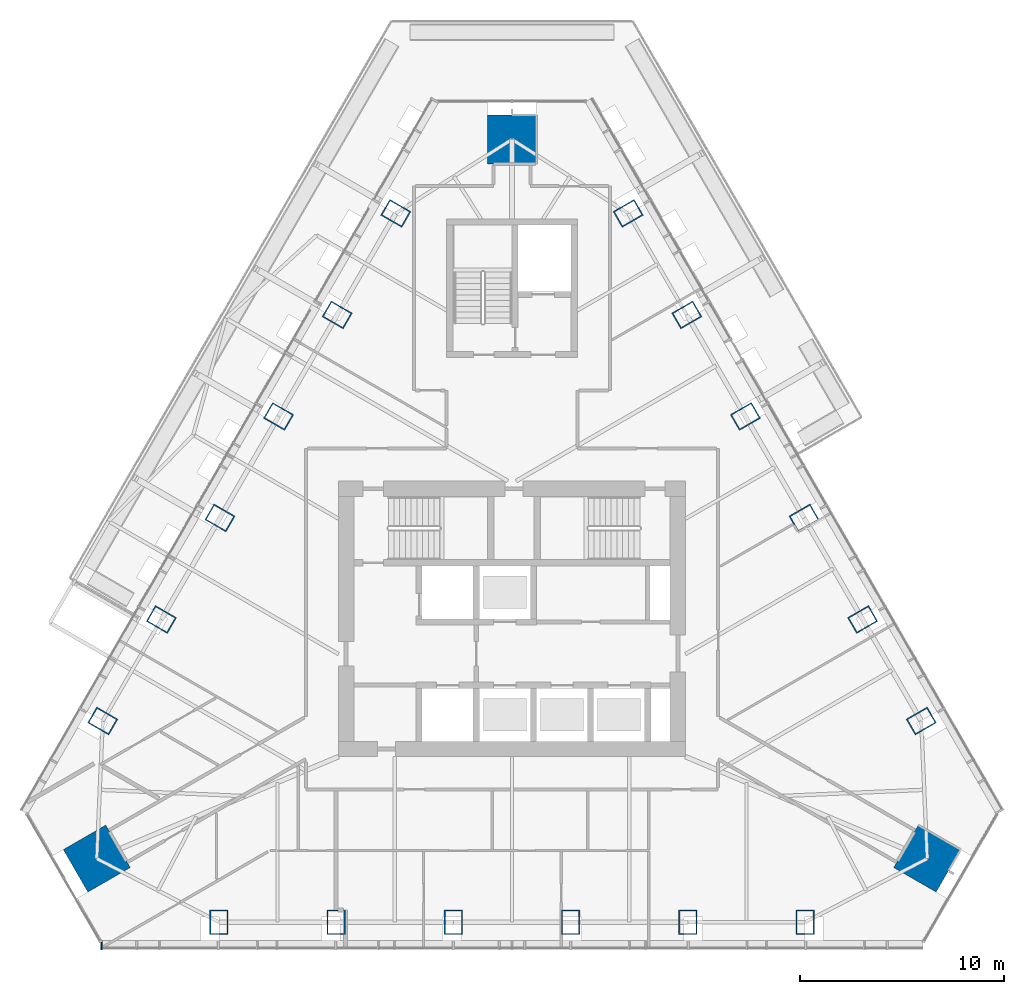
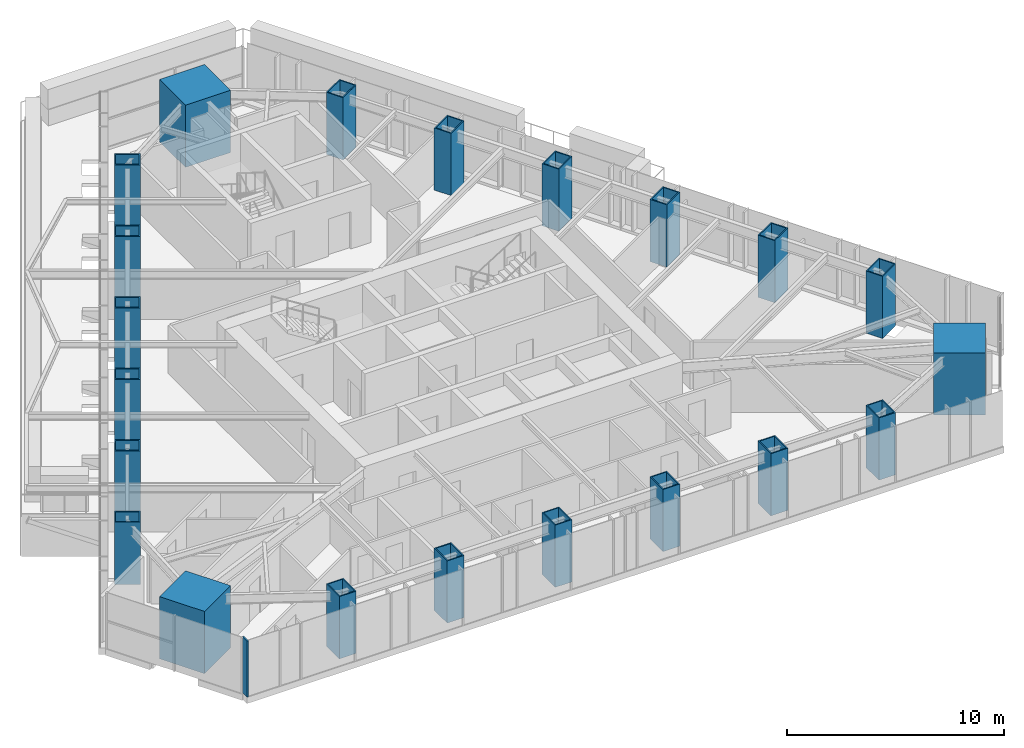
# One storey, part 1 of 16: 21 columns, 1 member, 1 element without a shape of its own.
"""IFC4 building model written with IfcOpenShell, lengths in metres."""

from ifc_helpers import new_model, si_unit, direction, frame, origin, origin_2d, place, context, subcontext, project, spatial, rectangle, hollow_rectangle, extrude, material, layer, layer_set, material_profile, profile_set, type_object, element, aggregate, save


model = new_model("IFC4")

# Units and contexts
model_context = context("Model", 3, precision=1e-05, world=origin(), true_north=direction((0.0, 1.0)))
body_context = subcontext(model_context, "Body", "Model", "MODEL_VIEW")
ifc_project = project(units=[si_unit("LENGTHUNIT", "METRE"), si_unit("AREAUNIT", "SQUARE_METRE"), si_unit("VOLUMEUNIT", "CUBIC_METRE"), si_unit("PLANEANGLEUNIT", "RADIAN"), si_unit("MASSUNIT", "GRAM", prefix="KILO")], contexts=[model_context])

# Site, building, storey
site_placement = place(None, origin())
site = spatial("IfcSite", under=ifc_project, at=site_placement, CompositionType="ELEMENT")
building_placement = place(site_placement, origin())
building = spatial("IfcBuilding", under=site, at=building_placement, Name="Firuza Gate Tower and Library", CompositionType="ELEMENT")
storey_placement = place(building_placement, frame((0.0, 0.0, 319.60009765625)))
storey = spatial("IfcBuildingStorey", under=building, at=storey_placement, Name="L78", CompositionType="ELEMENT", Elevation=319.60009765625)

# Columns
ifc_material_1 = material(Name="Steel S355", Category="steel")
ifc_material_profile_1 = material_profile(ifc_material_1, hollow_rectangle(XDim=0.89990234375, YDim=1.199951171875, WallThickness=0.06005859375, at=origin_2d()))
ifc_profile_set_1 = profile_set([ifc_material_profile_1], Name="Steel S355")
column_type_1 = type_object("IfcColumnType", Name="BU1200x900x60 Composite box column", PredefinedType="COLUMN", material=ifc_profile_set_1)
for number, where, z_axis, x_axis, name in (
    (1, (60.639892578125, 60.135986328125, -0.00048828125), (0.0, 0.0, 1.0), (1.0, 0.0, 0.0), "Column S1 L78"),
    (2, (66.384033203125, 60.135986328125, -0.00048828125), (0.0, 0.0, 1.0), (1.0, 0.0, 0.0), "Column S2 L78"),
    (3, (72.1279296875, 60.135986328125, -0.00048828125), (0.0, 0.0, 1.0), (1.0, 0.0, 0.0), "Column S3 L78"),
    (4, (77.8720703125, 60.135986328125, -0.00048828125), (0.0, 0.0, 1.0), (1.0, 0.0, 0.0), "Column S4 L78"),
    (5, (83.615966796875, 60.135986328125, -0.00048828125), (0.0, 0.0, 1.0), (1.0, 0.0, 0.0), "Column S5 L78"),
    (6, (89.360107421875, 60.135986328125, -0.00048828125), (0.0, 0.0, 1.0), (1.0, 0.0, 0.0), "Column S6 L78"),
    (7, (95.052490234375, 69.995849609375, -0.00048828125), (0.0, 0.0, 1.0), (-0.5, 0.866025403784, 0.0), "Column E1 L78"),
    (8, (92.1806640625, 74.97021484375, -0.00048828125), (0.0, 0.0, 1.0), (-0.5, 0.866025403784, 0.0), "Column E2 L78"),
    (9, (89.30859375, 79.94482421875, -0.00048828125), (0.0, 0.0, 1.0), (-0.5, 0.866025403784, 0.0), "Column E3 L78"),
    (10, (86.4365234375, 84.919189453125, -0.00048828125), (0.0, 0.0, 1.0), (-0.5, 0.866025403784, 0.0), "Column E4 L78"),
    (11, (83.564697265625, 89.8935546875, -0.00048828125), (0.0, 0.0, 1.0), (-0.5, 0.866025403784, 0.0), "Column E5 L78"),
    (12, (80.692626953125, 94.8681640625, -0.00048828125), (0.0, 0.0, 1.0), (-0.5, 0.866025403784, 0.0), "Column E6 L78"),
    (13, (69.307373046875, 94.8681640625, -0.00048828125), (0.0, 0.0, 1.0), (-0.5, -0.866025403784, 0.0), "Column W1 L78"),
    (14, (66.435302734375, 89.8935546875, -0.00048828125), (0.0, 0.0, 1.0), (-0.5, -0.866025403784, 0.0), "Column W2 L78"),
    (15, (63.5634765625, 84.919189453125, -0.00048828125), (0.0, 0.0, 1.0), (-0.5, -0.866025403784, 0.0), "Column W3 L78"),
    (16, (60.69140625, 79.94482421875, -0.00048828125), (0.0, 0.0, 1.0), (-0.5, -0.866025403784, 0.0), "Column W4 L78"),
    (17, (57.8193359375, 74.97021484375, -0.00048828125), (0.0, 0.0, 1.0), (-0.5, -0.866025403784, 0.0), "Column W5 L78"),
    (18, (54.947509765625, 69.995849609375, -0.00048828125), (0.0, 0.0, 1.0), (-0.5, -0.866025403784, 0.0), "Column W6 L78"),
):
    element("IfcColumn", number, at=place(storey_placement, frame(where, z_axis=z_axis, x_axis=x_axis)), inside=storey, type_object=column_type_1, Name=name, PredefinedType="COLUMN", context=body_context, shape_type="SweptSolid", body=[
        extrude(hollow_rectangle(XDim=0.89990234375, YDim=1.199951171875, WallThickness=0.06005859375, at=origin_2d()), origin(), (0.0, 0.0, 1.0), 3.50048828125),
    ])
ifc_material_2 = material(Name="Concrete C80/95", Category="concrete")
ifc_material_profile_2 = material_profile(ifc_material_2, rectangle(XDim=2.39990234375, YDim=2.39990234375, at=origin_2d()))
ifc_profile_set_2 = profile_set([ifc_material_profile_2], Name="Concrete C80/95")
column_type_2 = type_object("IfcColumnType", Name="Mega column 2400x2400 C80/95", PredefinedType="COLUMN", material=ifc_profile_set_2)
for number, where, z_axis, x_axis, name in (
    (19, (95.34521484375, 63.253662109375, 0.0), (0.0, 0.0, 1.0), (0.5, 0.866025403784, 0.0), "Mega column SE L78"),
    (20, (75.0, 98.49267578125, 0.0), (0.0, 0.0, 1.0), (-1.0, 0.0, 0.0), "Mega column N L78"),
    (21, (54.65478515625, 63.253662109375, 0.0), (0.0, 0.0, 1.0), (0.5, -0.866025403784, 0.0), "Mega column SW L78"),
):
    element("IfcColumn", number, at=place(storey_placement, frame(where, z_axis=z_axis, x_axis=x_axis)), inside=storey, type_object=column_type_2, Name=name, PredefinedType="COLUMN", context=body_context, shape_type="SweptSolid", body=[
        extrude(rectangle(XDim=2.39990234375, YDim=2.39990234375, at=origin_2d()), origin(), (0.0, 0.0, 1.0), 3.5),
    ])

# Curtain wall, member
ifc_material_3 = material(Name="Aluminium 6063-T6", Category="aluminium")
ifc_layer = layer(ifc_material_3, 0.14990234375)
ifc_layer_set = layer_set([ifc_layer], Name="Unitised curtain wall, residences")
curtain_wall_type = type_object("IfcCurtainWallType", Name="Unitised curtain wall, residences", PredefinedType="NOTDEFINED", material=ifc_layer_set)
curtain_wall_placement = place(storey_placement, origin())
curtain_wall = element("IfcCurtainWall", 22, at=curtain_wall_placement, inside=storey, type_object=curtain_wall_type, Name="CW3 L78 S face", PredefinedType="NOTDEFINED")
ifc_material_4 = material(Name="Aluminium 6063-T6", Category="aluminium")
ifc_material_profile_3 = material_profile(ifc_material_4, rectangle(XDim=0.43994140625, YDim=0.080078125, at=origin_2d()))
ifc_profile_set_3 = profile_set([ifc_material_profile_3], Name="Aluminium 6063-T6")
member_type = type_object("IfcMemberType", Name="Curtain wall mullion 80x440", PredefinedType="MULLION", material=ifc_profile_set_3)
member_placement = place(storey_placement, frame((54.892578125, 59.01611328125, 0.14990234375), z_axis=(0.0, 0.0, 1.0), x_axis=(0.0, 1.0, 0.0)))
member = element("IfcMember", 23, at=member_placement, type_object=member_type, Name="Mullion", PredefinedType="MULLION", context=body_context, shape_type="SweptSolid", body=[
    extrude(rectangle(XDim=0.43994140625, YDim=0.080078125, at=origin_2d()), origin(), (0.0, 0.0, 1.0), 3.14990234375),
])
aggregate(curtain_wall, [member])

save(model, "model.ifc")
